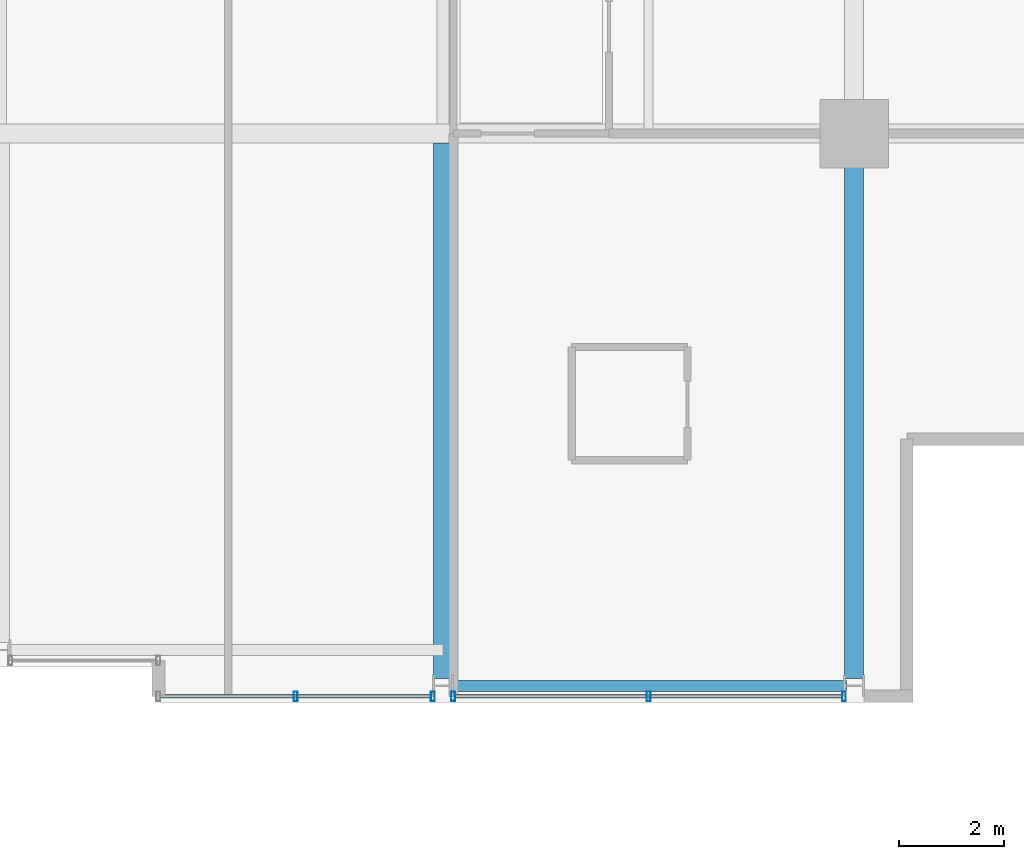
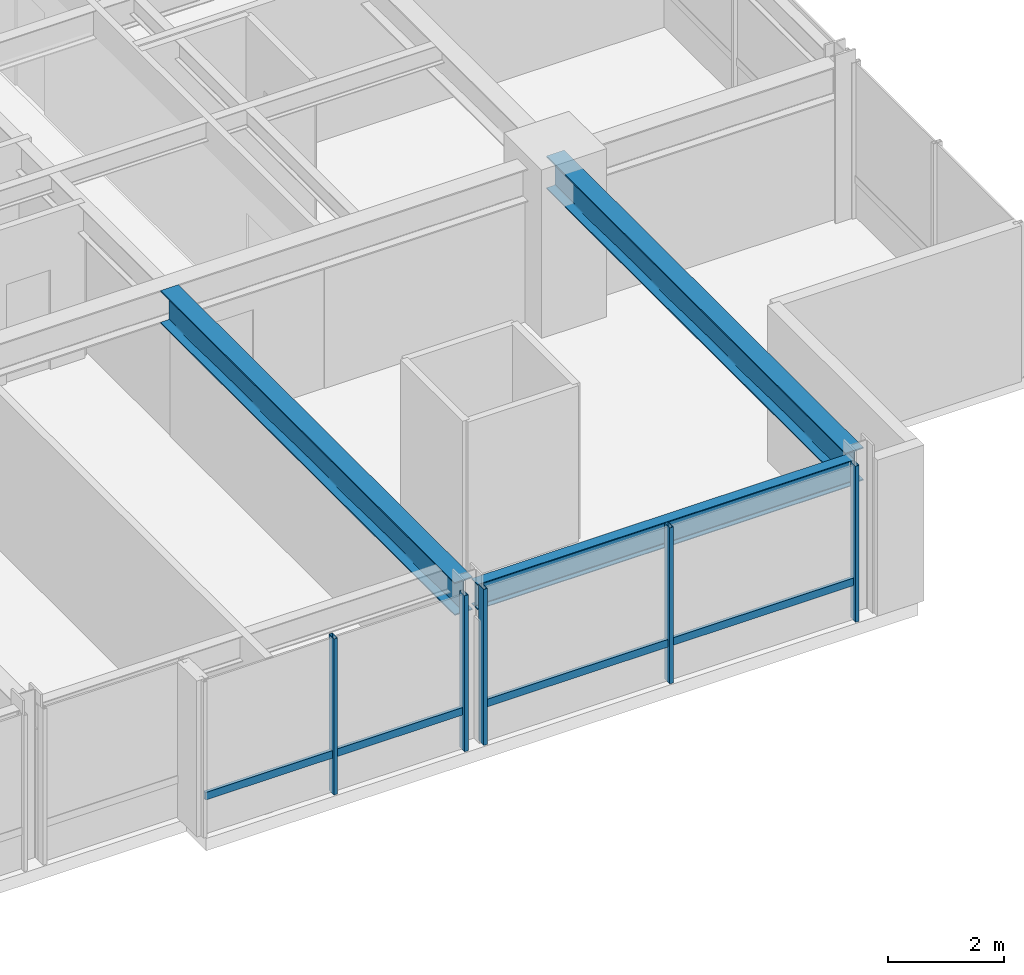
# One storey, part 11 of 32: 7 members, 3 beams, 2 elements without a shape of their own.
"""IFC4 building model written with IfcOpenShell, lengths in metres."""

from ifc_helpers import new_model, si_unit, direction, frame, origin, origin_2d, place, context, subcontext, project, spatial, hollow_rectangle, i_section, extrude, material, layer, layer_set, material_profile, profile_set, type_object, element, aggregate, save


model = new_model("IFC4")

# Units and contexts
model_context = context("Model", 3, precision=1e-05, world=origin(), true_north=direction((0.0, 1.0)))
body_context = subcontext(model_context, "Body", "Model", "MODEL_VIEW")
ifc_project = project(units=[si_unit("LENGTHUNIT", "METRE"), si_unit("AREAUNIT", "SQUARE_METRE"), si_unit("VOLUMEUNIT", "CUBIC_METRE"), si_unit("PLANEANGLEUNIT", "RADIAN"), si_unit("MASSUNIT", "GRAM", prefix="KILO")], contexts=[model_context])

# Site, building, storey
site_placement = place(None, origin())
site = spatial("IfcSite", under=ifc_project, at=site_placement, CompositionType="ELEMENT")
building_placement = place(site_placement, origin())
building = spatial("IfcBuilding", under=site, at=building_placement, Name="Drelvath Grand Hotel", CompositionType="ELEMENT")
storey_placement = place(building_placement, frame((0.0, 0.0, 193.0)))
storey = spatial("IfcBuildingStorey", under=building, at=storey_placement, Name="L50", CompositionType="ELEMENT", Elevation=193.0)

# Curtain wall, member
ifc_material_1 = material(Name="Brushed Pale-Silver Anodised Aluminium Frame", Category="aluminium")
ifc_layer = layer(ifc_material_1, 0.199951171875)
ifc_layer_set = layer_set([ifc_layer], Name="Brushed Pale-Silver Anodised Aluminium Frame")
curtain_wall_type = type_object("IfcCurtainWallType", Name="Stick Curtain Wall CW-04 Brushed Silver Upper-Mid", PredefinedType="NOTDEFINED", material=ifc_layer_set)
curtain_wall_1_placement = place(storey_placement, origin())
curtain_wall_1 = element("IfcCurtainWall", 1, at=curtain_wall_1_placement, inside=storey, type_object=curtain_wall_type, Name="L50 CW-04 Curtain Wall CW04-L50-SE1", PredefinedType="NOTDEFINED")
ifc_material_profile_1 = material_profile(ifc_material_1, hollow_rectangle(XDim=0.06494140625, YDim=0.159912109375, WallThickness=0.00390625, at=origin_2d()), Name="HSS160X65X4")
ifc_profile_set_1 = profile_set([ifc_material_profile_1], Name="Brushed Pale-Silver Anodised Aluminium Frame")
member_type_1 = type_object("IfcMemberType", Name="Curtain Wall Horizontal Transom CW-04 HSS160X65X4", PredefinedType="USERDEFINED", material=ifc_profile_set_1)
member_1_placement = place(storey_placement, frame((8.168212890625, 0.1201171875, 0.822509765625), z_axis=(-1.0, 0.0, 0.0), x_axis=(0.0, -1.0, 0.0)))
member_1 = element("IfcMember", 2, at=member_1_placement, type_object=member_type_1, Name="CW04-L50-SE1 Sill Transom", ObjectType="TRANSOM", PredefinedType="USERDEFINED", context=body_context, shape_type="SweptSolid", body=[
    extrude(hollow_rectangle(XDim=0.06494140625, YDim=0.159912109375, WallThickness=0.00390625, at=origin_2d()), origin(), (0.0, 0.0, 1.0), 5.128173828125),
])

curtain_wall_2_placement = place(storey_placement, origin())
curtain_wall_2 = element("IfcCurtainWall", 3, at=curtain_wall_2_placement, inside=storey, type_object=curtain_wall_type, Name="L50 CW-04 Curtain Wall CW04-L50-SE2", PredefinedType="NOTDEFINED")
member_2_placement = place(storey_placement, frame((15.968505859375, 0.1201171875, 0.822509765625), z_axis=(-1.0, 0.0, 0.0), x_axis=(0.0, -1.0, 0.0)))
member_2 = element("IfcMember", 4, at=member_2_placement, type_object=member_type_1, Name="CW04-L50-SE2 Sill Transom", ObjectType="TRANSOM", PredefinedType="USERDEFINED", context=body_context, shape_type="SweptSolid", body=[
    extrude(hollow_rectangle(XDim=0.06494140625, YDim=0.159912109375, WallThickness=0.00390625, at=origin_2d()), origin(), (0.0, 0.0, 1.0), 7.3369140625),
])

# Member
ifc_material_profile_2 = material_profile(ifc_material_1, hollow_rectangle(XDim=0.074951171875, YDim=0.179931640625, WallThickness=0.0048828125, at=origin_2d()), Name="HSS180X75X5")
ifc_profile_set_2 = profile_set([ifc_material_profile_2], Name="Brushed Pale-Silver Anodised Aluminium Frame")
member_type_2 = type_object("IfcMemberType", Name="Curtain Wall Vertical Mullion CW-04 HSS180X75X5", PredefinedType="MULLION", material=ifc_profile_set_2)
member_3_placement = place(storey_placement, frame((8.208251953125, 0.1201171875, 0.0), z_axis=(0.0, 0.0, 1.0), x_axis=(1.0, 0.0, 0.0)))
member_3 = element("IfcMember", 5, at=member_3_placement, type_object=member_type_2, Name="CW04-L50-SE1 Mullion 1", PredefinedType="MULLION", context=body_context, shape_type="SweptSolid", body=[
    extrude(hollow_rectangle(XDim=0.074951171875, YDim=0.179931640625, WallThickness=0.0048828125, at=origin_2d()), origin(), (0.0, 0.0, 1.0), 3.2900390625),
])

member_4_placement = place(storey_placement, frame((5.60400390625, 0.1201171875, 0.0), z_axis=(0.0, 0.0, 1.0), x_axis=(1.0, 0.0, 0.0)))
member_4 = element("IfcMember", 6, at=member_4_placement, type_object=member_type_2, Name="CW04-L50-SE1 Mullion 2", PredefinedType="MULLION", context=body_context, shape_type="SweptSolid", body=[
    extrude(hollow_rectangle(XDim=0.074951171875, YDim=0.179931640625, WallThickness=0.0048828125, at=origin_2d()), origin(), (0.0, 0.0, 1.0), 3.2900390625),
])

aggregate(curtain_wall_1, [member_3, member_4, member_1])

member_5_placement = place(storey_placement, frame((16.00830078125, 0.1201171875, 0.0), z_axis=(0.0, 0.0, 1.0), x_axis=(1.0, 0.0, 0.0)))
member_5 = element("IfcMember", 7, at=member_5_placement, type_object=member_type_2, Name="CW04-L50-SE2 Mullion 1", PredefinedType="MULLION", context=body_context, shape_type="SweptSolid", body=[
    extrude(hollow_rectangle(XDim=0.074951171875, YDim=0.179931640625, WallThickness=0.0048828125, at=origin_2d()), origin(), (0.0, 0.0, 1.0), 3.2900390625),
])

member_6_placement = place(storey_placement, frame((12.300048828125, 0.1201171875, 0.0), z_axis=(0.0, 0.0, 1.0), x_axis=(1.0, 0.0, 0.0)))
member_6 = element("IfcMember", 8, at=member_6_placement, type_object=member_type_2, Name="CW04-L50-SE2 Mullion 2", PredefinedType="MULLION", context=body_context, shape_type="SweptSolid", body=[
    extrude(hollow_rectangle(XDim=0.074951171875, YDim=0.179931640625, WallThickness=0.0048828125, at=origin_2d()), origin(), (0.0, 0.0, 1.0), 3.2900390625),
])

member_7_placement = place(storey_placement, frame((8.591796875, 0.1201171875, 0.0), z_axis=(0.0, 0.0, 1.0), x_axis=(1.0, 0.0, 0.0)))
member_7 = element("IfcMember", 9, at=member_7_placement, type_object=member_type_2, Name="CW04-L50-SE2 Mullion 3", PredefinedType="MULLION", context=body_context, shape_type="SweptSolid", body=[
    extrude(hollow_rectangle(XDim=0.074951171875, YDim=0.179931640625, WallThickness=0.0048828125, at=origin_2d()), origin(), (0.0, 0.0, 1.0), 3.2900390625),
])

aggregate(curtain_wall_2, [member_5, member_6, member_7, member_2])

# Beams
ifc_material_2 = material(Name="Steel ASTM A992 Gr 50", Category="steel")
ifc_material_profile_3 = material_profile(ifc_material_2, i_section(OverallWidth=0.210205078125, OverallDepth=0.53662109375, WebThickness=0.010986328125, FlangeThickness=0.017333984375, FilletRadius=0.01806640625, at=origin_2d()), Name="W21X68")
ifc_profile_set_3 = profile_set([ifc_material_profile_3], Name="Steel ASTM A992 Gr 50")
beam_type_1 = type_object("IfcBeamType", Name="Perimeter Spandrel Beam W21X68", PredefinedType="SPANDREL", material=ifc_profile_set_3)
beam_1_placement = place(storey_placement, frame((8.5400390625, 0.320068359375, 3.021484375), z_axis=(1.0, 0.0, 0.0), x_axis=(0.0, 1.0, 0.0)))
element("IfcBeam", 10, at=beam_1_placement, inside=storey, type_object=beam_type_1, Name="L50 Spandrel South E", PredefinedType="SPANDREL", context=body_context, shape_type="SweptSolid", body=[
    extrude(i_section(OverallWidth=0.210205078125, OverallDepth=0.53662109375, WebThickness=0.010986328125, FlangeThickness=0.017333984375, FilletRadius=0.01806640625, at=origin_2d()), origin(), (0.0, 0.0, 1.0), 7.52001953125),
])
ifc_material_profile_4 = material_profile(ifc_material_2, i_section(OverallWidth=0.354736328125, OverallDepth=0.695556640625, WebThickness=0.015380859375, FlangeThickness=0.025146484375, FilletRadius=0.02392578125, at=origin_2d()), Name="W27X146")
ifc_profile_set_4 = profile_set([ifc_material_profile_4], Name="Steel ASTM A992 Gr 50")
beam_type_2 = type_object("IfcBeamType", Name="Primary Floor Girder W27X146", PredefinedType="BEAM", material=ifc_profile_set_4)
beam_2_placement = place(storey_placement, frame((16.199951171875, 0.4599609375, 2.9423828125), z_axis=(0.0, 1.0, 0.0), x_axis=(-1.0, 0.0, 0.0)))
element("IfcBeam", 11, at=beam_2_placement, inside=storey, type_object=beam_type_2, Name="L50 South Grid Girder 7", PredefinedType="BEAM", context=body_context, shape_type="SweptSolid", body=[
    extrude(i_section(OverallWidth=0.354736328125, OverallDepth=0.695556640625, WebThickness=0.015380859375, FlangeThickness=0.025146484375, FilletRadius=0.02392578125, at=origin_2d()), origin(), (0.0, 0.0, 1.0), 10.340087890625),
])
beam_3_placement = place(storey_placement, frame((8.39990234375, 0.4599609375, 2.9423828125), z_axis=(0.0, 1.0, 0.0), x_axis=(-1.0, 0.0, 0.0)))
element("IfcBeam", 12, at=beam_3_placement, inside=storey, type_object=beam_type_2, Name="L50 South Wing Girder 6", PredefinedType="BEAM", context=body_context, shape_type="SweptSolid", body=[
    extrude(i_section(OverallWidth=0.354736328125, OverallDepth=0.695556640625, WebThickness=0.015380859375, FlangeThickness=0.025146484375, FilletRadius=0.02392578125, at=origin_2d()), origin(), (0.0, 0.0, 1.0), 10.16259765625),
])

save(model, "model.ifc")
